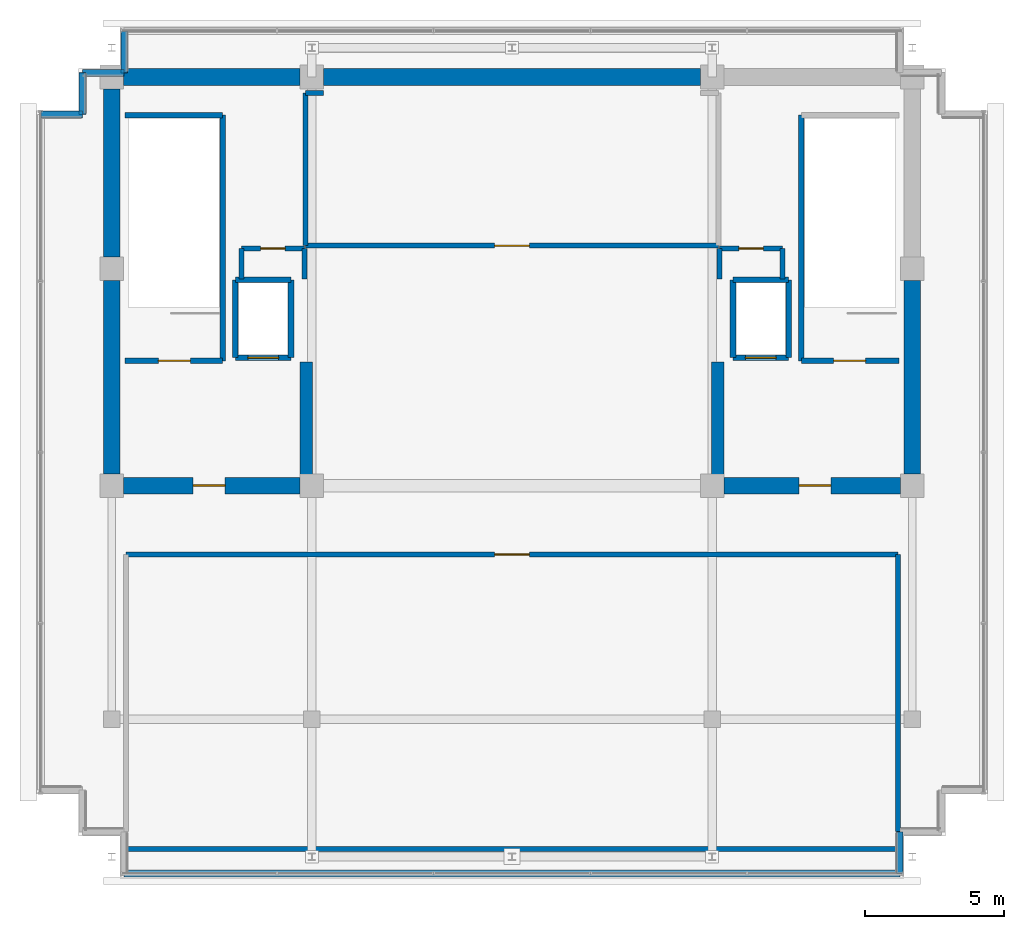
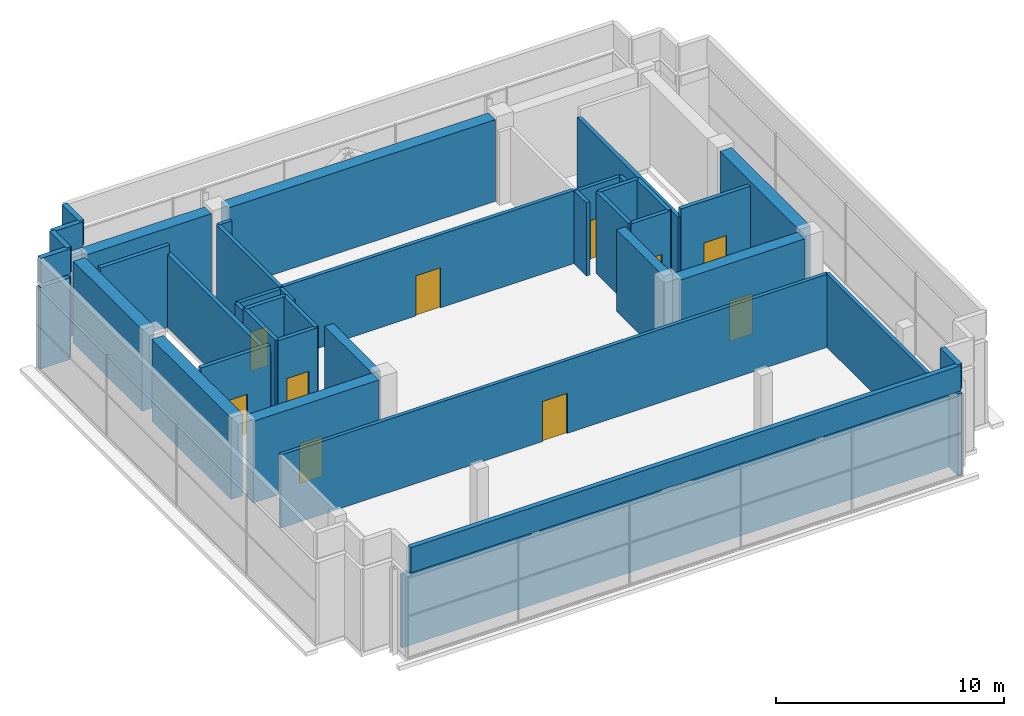
# One storey, part 20 of 22: 45 walls, 10 doors, 10 openings.
"""IFC4 building model written with IfcOpenShell, lengths in metres."""

from ifc_helpers import new_model, si_unit, direction, frame, frame_2d, origin, place, context, subcontext, project, spatial, rectangle, extrude, source, transform, mapped, material, layer, layer_set, type_object, element, fill, save


model = new_model("IFC4")

# Units and contexts
model_context = context("Model", 3, precision=1e-05, world=origin(), true_north=direction((0.0, 1.0)))
body_context = subcontext(model_context, "Body", "Model", "MODEL_VIEW")
ifc_project = project(units=[si_unit("LENGTHUNIT", "METRE"), si_unit("AREAUNIT", "SQUARE_METRE"), si_unit("VOLUMEUNIT", "CUBIC_METRE"), si_unit("PLANEANGLEUNIT", "RADIAN"), si_unit("MASSUNIT", "GRAM", prefix="KILO")], contexts=[model_context])

# Site, building, storey
site_placement = place(None, origin())
site = spatial("IfcSite", under=ifc_project, at=site_placement, CompositionType="ELEMENT")
building_placement = place(site_placement, origin())
building = spatial("IfcBuilding", under=site, at=building_placement, Name="Zarnakvel Exchange Tower", CompositionType="ELEMENT")
storey_placement = place(building_placement, frame((0.0, 0.0, 299.199951171875)))
storey = spatial("IfcBuildingStorey", under=building, at=storey_placement, Name="Crown L83", CompositionType="ELEMENT", Elevation=299.199951171875)

# Walls
ifc_material_1 = material(Name="Concrete C50/60", Category="concrete")
ifc_layer_1 = layer(ifc_material_1, 0.60009765625)
ifc_layer_set_1 = layer_set([ifc_layer_1], Name="Concrete C50/60")
wall_type_1 = type_object("IfcWallType", Name="CW-C5", PredefinedType="SHEAR", material=ifc_layer_set_1)
wall_1_placement = place(storey_placement, frame((-13.97509765625, 13.5, 0.0), z_axis=(0.0, 0.0, 1.0), x_axis=(1.0, 0.0, 0.0)))
element("IfcWall", 1, at=wall_1_placement, inside=storey, type_object=wall_type_1, Name="Crown L83 Rear Core Shear Wall N1 (CW-C5)", PredefinedType="SHEAR", context=body_context, shape_type="SweptSolid", body=[
    extrude(rectangle(XDim=6.35009765625, YDim=0.60009765625, at=frame_2d((3.175048828125, 0.0))), origin(), (0.0, 0.0, 1.0), 4.380126953125),
])
wall_2_placement = place(storey_placement, frame((-6.77490234375, 13.5, 0.0), z_axis=(0.0, 0.0, 1.0), x_axis=(1.0, 0.0, 0.0)))
element("IfcWall", 2, at=wall_2_placement, inside=storey, type_object=wall_type_1, Name="Crown L83 Rear Core Shear Wall N2 (CW-C5)", PredefinedType="SHEAR", context=body_context, shape_type="SweptSolid", body=[
    extrude(rectangle(XDim=13.5498046875, YDim=0.60009765625, at=frame_2d((6.77490234375, 0.0))), origin(), (0.0, 0.0, 1.0), 4.380126953125),
])
wall_3_placement = place(storey_placement, frame((-14.39990234375, -0.77490234375, 0.0), z_axis=(0.0, 0.0, 1.0), x_axis=(0.0, 1.0, 0.0)))
element("IfcWall", 3, at=wall_3_placement, inside=storey, type_object=wall_type_1, Name="Crown L83 Rear Core Shear Wall W1 (CW-C5)", PredefinedType="SHEAR", context=body_context, shape_type="SweptSolid", body=[
    extrude(rectangle(XDim=6.949951171875, YDim=0.60009765625, at=frame_2d((3.47509765625, 0.0))), origin(), (0.0, 0.0, 1.0), 4.380126953125),
])
wall_4_placement = place(storey_placement, frame((-14.39990234375, 7.02490234375, 0.0), z_axis=(0.0, 0.0, 1.0), x_axis=(0.0, 1.0, 0.0)))
element("IfcWall", 4, at=wall_4_placement, inside=storey, type_object=wall_type_1, Name="Crown L83 Rear Core Shear Wall W2 (CW-C5)", PredefinedType="SHEAR", context=body_context, shape_type="SweptSolid", body=[
    extrude(rectangle(XDim=6.050048828125, YDim=0.60009765625, at=frame_2d((3.02490234375, 0.0))), origin(), (0.0, 0.0, 1.0), 4.380126953125),
])
wall_5_placement = place(storey_placement, frame((14.39990234375, -0.77490234375, 0.0), z_axis=(0.0, 0.0, 1.0), x_axis=(0.0, 1.0, 0.0)))
element("IfcWall", 5, at=wall_5_placement, inside=storey, type_object=wall_type_1, Name="Crown L83 Rear Core Shear Wall E1 (CW-C5)", PredefinedType="SHEAR", context=body_context, shape_type="SweptSolid", body=[
    extrude(rectangle(XDim=6.949951171875, YDim=0.60009765625, at=frame_2d((3.47509765625, 0.0))), origin(), (0.0, 0.0, 1.0), 4.380126953125),
])

# Wall, opening, door
wall_6_placement = place(storey_placement, frame((-7.625, -1.199951171875, 0.0), z_axis=(0.0, 0.0, 1.0), x_axis=(-1.0, 0.0, 0.0)))
wall_6 = element("IfcWall", 6, at=wall_6_placement, inside=storey, type_object=wall_type_1, Name="Crown L83 Rear Core Shear Wall SW (CW-C5)", PredefinedType="SHEAR", context=body_context, shape_type="SweptSolid", body=[
    extrude(rectangle(XDim=6.35009765625, YDim=0.60009765625, at=frame_2d((3.175048828125, 0.0))), origin(), (0.0, 0.0, 1.0), 4.380126953125),
])
opening_1_placement = place(wall_6_placement, frame((2.699951171875, 0.0, 0.0)))
opening_1 = element("IfcOpeningElement", 7, at=opening_1_placement, cuts=wall_6, Name="Opening D-Crown L83-03", PredefinedType="OPENING", context=body_context, shape_type="SweptSolid", body=[
    extrude(rectangle(XDim=1.14990234375, YDim=2.14990234375, at=frame_2d((0.574951171875, 1.074951171875))), frame((0.0, 0.31005859375, 0.0), z_axis=(0.0, -1.0, 0.0), x_axis=(1.0, 0.0, 0.0)), (0.0, 0.0, 1.0), 0.6201171875),
])
ifc_material_2 = material(Name="Painted Galvanised Steel S355", Category="steel")
door_type_1 = type_object("IfcDoorType", Name="DT-04", OperationType="NOTDEFINED", PredefinedType="DOOR", material=ifc_material_2)
shared_shape_1 = source(origin(), body_context, "Body", "SweptSolid", [
    extrude(rectangle(XDim=1.14990234375, YDim=2.14990234375, at=frame_2d((0.574951171875, 1.074951171875))), frame((0.0, 0.02490234375, 0.0), z_axis=(0.0, -1.0, 0.0), x_axis=(1.0, 0.0, 0.0)), (0.0, 0.0, 1.0), 0.050048828125),
])
door_1_placement = place(opening_1_placement, origin())
door_1 = element("IfcDoor", 8, at=door_1_placement, inside=storey, type_object=door_type_1, Name="Crown L83 Firefighting Lobby West Door D-Crown L83-03", OperationType="SINGLE_SWING_LEFT", OverallHeight=2.14990234375, OverallWidth=1.14990234375, PredefinedType="DOOR", context=body_context, shape_type="MappedRepresentation", body=[
    mapped(shared_shape_1, transform((0.0, 0.0, 0.0), x_axis=(1.0, 0.0, 0.0), y_axis=(0.0, 1.0, 0.0), z_axis=(0.0, 0.0, 1.0), scale=1.0)),
])
fill(opening_1, door_1)

wall_7_placement = place(storey_placement, frame((13.97509765625, -1.199951171875, 0.0), z_axis=(0.0, 0.0, 1.0), x_axis=(-1.0, 0.0, 0.0)))
wall_7 = element("IfcWall", 9, at=wall_7_placement, inside=storey, type_object=wall_type_1, Name="Crown L83 Rear Core Shear Wall SE (CW-C5)", PredefinedType="SHEAR", context=body_context, shape_type="SweptSolid", body=[
    extrude(rectangle(XDim=6.35009765625, YDim=0.60009765625, at=frame_2d((3.175048828125, 0.0))), origin(), (0.0, 0.0, 1.0), 4.380126953125),
])
opening_2_placement = place(wall_7_placement, frame((2.5, 0.0, 0.0)))
opening_2 = element("IfcOpeningElement", 10, at=opening_2_placement, cuts=wall_7, Name="Opening D-Crown L83-04", PredefinedType="OPENING", context=body_context, shape_type="SweptSolid", body=[
    extrude(rectangle(XDim=1.14990234375, YDim=2.14990234375, at=frame_2d((0.574951171875, 1.074951171875))), frame((0.0, 0.31005859375, 0.0), z_axis=(0.0, -1.0, 0.0), x_axis=(1.0, 0.0, 0.0)), (0.0, 0.0, 1.0), 0.6201171875),
])
door_2_placement = place(opening_2_placement, origin())
door_2 = element("IfcDoor", 11, at=door_2_placement, inside=storey, type_object=door_type_1, Name="Crown L83 Firefighting Lobby East Door D-Crown L83-04", OperationType="SINGLE_SWING_RIGHT", OverallHeight=2.14990234375, OverallWidth=1.14990234375, PredefinedType="DOOR", context=body_context, shape_type="MappedRepresentation", body=[
    mapped(shared_shape_1, transform((0.0, 0.0, 0.0), x_axis=(1.0, 0.0, 0.0), y_axis=(0.0, 1.0, 0.0), z_axis=(0.0, 0.0, 1.0), scale=1.0)),
])
fill(opening_2, door_2)

# Walls
ifc_layer_2 = layer(ifc_material_1, 0.449951171875)
ifc_layer_set_2 = layer_set([ifc_layer_2], Name="Concrete C50/60")
wall_type_2 = type_object("IfcWallType", Name="CW-C6", PredefinedType="SHEAR", material=ifc_layer_set_2)
for number, where, z_axis, x_axis, name in (
    (12, (-7.39990234375, -0.89990234375, 0.0), (0.0, 0.0, 1.0), (0.0, 1.0, 0.0), "Crown L83 Rear Core Shear Wall IW (CW-C6)"),
    (13, (7.39990234375, -0.89990234375, 0.0), (0.0, 0.0, 1.0), (0.0, 1.0, 0.0), "Crown L83 Rear Core Shear Wall IE (CW-C6)"),
):
    element("IfcWall", number, at=place(storey_placement, frame(where, z_axis=z_axis, x_axis=x_axis)), inside=storey, type_object=wall_type_2, Name=name, PredefinedType="SHEAR", context=body_context, shape_type="SweptSolid", body=[
        extrude(rectangle(XDim=4.14990234375, YDim=0.449951171875, at=frame_2d((2.074951171875, 0.0))), origin(), (0.0, 0.0, 1.0), 4.380126953125),
    ])
ifc_material_3 = material(Name="Precast concrete C40/50", Category="concrete")
ifc_layer_3 = layer(ifc_material_3, 0.219970703125)
ifc_layer_set_3 = layer_set([ifc_layer_3], Name="Precast concrete C40/50")
wall_type_3 = type_object("IfcWallType", Name="EW-03", PredefinedType="SOLIDWALL", material=ifc_layer_set_3)
for number, where, z_axis, x_axis, name in (
    (14, (-15.4599609375, 12.159912109375, 0.0), (0.0, 0.0, 1.0), (-1.0, 0.0, 0.0), "Crown L83 Exterior Precast Spandrel Wall EW-Crown L83-C02 (EW-03)"),
    (15, (-15.4599609375, 13.659912109375, 0.0), (0.0, 0.0, 1.0), (0.0, -1.0, 0.0), "Crown L83 Exterior Precast Spandrel Wall EW-Crown L83-C03 (EW-03)"),
    (16, (-13.9599609375, 13.659912109375, 0.0), (0.0, 0.0, 1.0), (-1.0, 0.0, 0.0), "Crown L83 Exterior Precast Spandrel Wall EW-Crown L83-C04 (EW-03)"),
    (17, (-13.9599609375, 15.159912109375, 0.0), (0.0, 0.0, 1.0), (0.0, -1.0, 0.0), "Crown L83 Exterior Precast Spandrel Wall EW-Crown L83-C05 (EW-03)"),
    (18, (13.9599609375, -15.159912109375, 0.0), (0.0, 0.0, 1.0), (0.0, 1.0, 0.0), "Crown L83 Exterior Precast Spandrel Wall EW-Crown L83-C15 (EW-03)"),
):
    element("IfcWall", number, at=place(storey_placement, frame(where, z_axis=z_axis, x_axis=x_axis)), inside=storey, type_object=wall_type_3, Name=name, PredefinedType="SOLIDWALL", context=body_context, shape_type="SweptSolid", body=[
        extrude(rectangle(XDim=1.5, YDim=0.219970703125, at=frame_2d((0.75, 0.0))), origin(), (0.0, 0.0, 1.0), 4.380126953125),
    ])

# Wall, opening, door
ifc_material_4 = material(Name="Fire-Rated Gypsum Stud Partition", Category="gypsum")
ifc_layer_4 = layer(ifc_material_4, 0.179931640625)
ifc_layer_set_4 = layer_set([ifc_layer_4], Name="Fire-Rated Gypsum Stud Partition")
wall_type_4 = type_object("IfcWallType", Name="PT-02", PredefinedType="PARTITIONING", material=ifc_layer_set_4)
wall_8_placement = place(storey_placement, frame((7.429931640625, 7.429931640625, 0.0), z_axis=(0.0, 0.0, 1.0), x_axis=(-1.0, 0.0, 0.0)))
wall_8 = element("IfcWall", 19, at=wall_8_placement, inside=storey, type_object=wall_type_4, Name="Crown L83 Partition Wall PWALL-Crown L83-007 (PT-02)", PredefinedType="PARTITIONING", context=body_context, shape_type="SweptSolid", body=[
    extrude(rectangle(XDim=14.85986328125, YDim=0.179931640625, at=frame_2d((7.429931640625, 0.0))), origin(), (0.0, 0.0, 1.0), 3.920166015625),
])
opening_3_placement = place(wall_8_placement, frame((6.804931640625, 0.0, 0.0)))
opening_3 = element("IfcOpeningElement", 20, at=opening_3_placement, cuts=wall_8, Name="Opening D-Crown L83-05", PredefinedType="OPENING", context=body_context, shape_type="SweptSolid", body=[
    extrude(rectangle(XDim=1.25, YDim=2.14990234375, at=frame_2d((0.625, 1.074951171875))), frame((0.0, 0.099853515625, 0.0), z_axis=(0.0, -1.0, 0.0), x_axis=(1.0, 0.0, 0.0)), (0.0, 0.0, 1.0), 0.199951171875),
])
door_type_2 = type_object("IfcDoorType", Name="DT-06", OperationType="NOTDEFINED", PredefinedType="DOOR", material=ifc_material_2)
shared_shape_2 = source(origin(), body_context, "Body", "SweptSolid", [
    extrude(rectangle(XDim=1.25, YDim=2.14990234375, at=frame_2d((0.625, 1.074951171875))), frame((0.0, 0.02490234375, 0.0), z_axis=(0.0, -1.0, 0.0), x_axis=(1.0, 0.0, 0.0)), (0.0, 0.0, 1.0), 0.050048828125),
])
door_3_placement = place(opening_3_placement, origin())
door_3 = element("IfcDoor", 21, at=door_3_placement, inside=storey, type_object=door_type_2, Name="Crown L83 High-Rise Lift Machine Room Door D-Crown L83-05", OperationType="SINGLE_SWING_LEFT", OverallHeight=2.14990234375, OverallWidth=1.25, PredefinedType="DOOR", context=body_context, shape_type="MappedRepresentation", body=[
    mapped(shared_shape_2, transform((0.0, 0.0, 0.0), x_axis=(1.0, 0.0, 0.0), y_axis=(0.0, 1.0, 0.0), z_axis=(0.0, 0.0, 1.0), scale=1.0)),
])
fill(opening_3, door_3)

# Walls
wall_9_placement = place(storey_placement, frame((-7.429931640625, 12.929931640625, 0.0), z_axis=(0.0, 0.0, 1.0), x_axis=(1.0, 0.0, 0.0)))
element("IfcWall", 22, at=wall_9_placement, inside=storey, type_object=wall_type_4, Name="Crown L83 Partition Wall PWALL-Crown L83-008 (PT-02)", PredefinedType="PARTITIONING", context=body_context, shape_type="SweptSolid", body=[
    extrude(rectangle(XDim=0.655029296875, YDim=0.179931640625, at=frame_2d((0.32763671875, 0.0))), origin(), (0.0, 0.0, 1.0), 3.920166015625),
])
wall_10_placement = place(storey_placement, frame((-7.429931640625, 7.429931640625, 0.0), z_axis=(0.0, 0.0, 1.0), x_axis=(0.0, 1.0, 0.0)))
element("IfcWall", 23, at=wall_10_placement, inside=storey, type_object=wall_type_4, Name="Crown L83 Partition Wall PWALL-Crown L83-010 (PT-02)", PredefinedType="PARTITIONING", context=body_context, shape_type="SweptSolid", body=[
    extrude(rectangle(XDim=5.5, YDim=0.179931640625, at=frame_2d((2.75, 0.0))), origin(), (0.0, 0.0, 1.0), 3.920166015625),
])

# Wall, opening, door
wall_11_placement = place(storey_placement, frame((-9.72998046875, 7.330078125, 0.0), z_axis=(0.0, 0.0, 1.0), x_axis=(1.0, 0.0, 0.0)))
wall_11 = element("IfcWall", 24, at=wall_11_placement, inside=storey, type_object=wall_type_4, Name="Crown L83 Partition Wall PWALL-Crown L83-012 (PT-02)", PredefinedType="PARTITIONING", context=body_context, shape_type="SweptSolid", body=[
    extrude(rectangle(XDim=2.260009765625, YDim=0.179931640625, at=frame_2d((1.1298828125, 0.0))), origin(), (0.0, 0.0, 1.0), 3.920166015625),
])
opening_4_placement = place(wall_11_placement, frame((0.68994140625, 0.0, 0.0)))
opening_4 = element("IfcOpeningElement", 25, at=opening_4_placement, cuts=wall_11, Name="Opening D-Crown L83-07", PredefinedType="OPENING", context=body_context, shape_type="SweptSolid", body=[
    extrude(rectangle(XDim=0.8798828125, YDim=2.10009765625, at=frame_2d((0.43994140625, 1.050048828125))), frame((0.0, 0.099853515625, 0.0), z_axis=(0.0, -1.0, 0.0), x_axis=(1.0, 0.0, 0.0)), (0.0, 0.0, 1.0), 0.199951171875),
])
door_type_3 = type_object("IfcDoorType", Name="DT-08", OperationType="NOTDEFINED", PredefinedType="DOOR", material=ifc_material_2)
shared_shape_3 = source(origin(), body_context, "Body", "SweptSolid", [
    extrude(rectangle(XDim=0.8798828125, YDim=2.10009765625, at=frame_2d((0.43994140625, 1.050048828125))), frame((0.0, 0.02490234375, 0.0), z_axis=(0.0, -1.0, 0.0), x_axis=(1.0, 0.0, 0.0)), (0.0, 0.0, 1.0), 0.050048828125),
])
door_4_placement = place(opening_4_placement, origin())
door_4 = element("IfcDoor", 26, at=door_4_placement, inside=storey, type_object=door_type_3, Name="Crown L83 Electrical Riser Door D-Crown L83-07", OperationType="SINGLE_SWING_LEFT", OverallHeight=2.10009765625, OverallWidth=0.8798828125, PredefinedType="DOOR", context=body_context, shape_type="MappedRepresentation", body=[
    mapped(shared_shape_3, transform((0.0, 0.0, 0.0), x_axis=(1.0, 0.0, 0.0), y_axis=(0.0, 1.0, 0.0), z_axis=(0.0, 0.0, 1.0), scale=1.0)),
])
fill(opening_4, door_4)

# Walls
for number, where, z_axis, x_axis, name in (
    (27, (-9.72998046875, 6.239990234375, 0.0), (0.0, 0.0, 1.0), (0.0, 1.0, 0.0), "Crown L83 Partition Wall PWALL-Crown L83-013 (PT-02)"),
    (28, (-7.469970703125, 7.330078125, 0.0), (0.0, 0.0, 1.0), (0.0, -1.0, 0.0), "Crown L83 Partition Wall PWALL-Crown L83-014 (PT-02)"),
):
    element("IfcWall", number, at=place(storey_placement, frame(where, z_axis=z_axis, x_axis=x_axis)), inside=storey, type_object=wall_type_4, Name=name, PredefinedType="PARTITIONING", context=body_context, shape_type="SweptSolid", body=[
        extrude(rectangle(XDim=1.090087890625, YDim=0.179931640625, at=frame_2d((0.544921875, 0.0))), origin(), (0.0, 0.0, 1.0), 3.920166015625),
    ])

# Wall, opening, door
wall_12_placement = place(storey_placement, frame((7.469970703125, 7.330078125, 0.0), z_axis=(0.0, 0.0, 1.0), x_axis=(1.0, 0.0, 0.0)))
wall_12 = element("IfcWall", 29, at=wall_12_placement, inside=storey, type_object=wall_type_4, Name="Crown L83 Partition Wall PWALL-Crown L83-015 (PT-02)", PredefinedType="PARTITIONING", context=body_context, shape_type="SweptSolid", body=[
    extrude(rectangle(XDim=2.260009765625, YDim=0.179931640625, at=frame_2d((1.1298828125, 0.0))), origin(), (0.0, 0.0, 1.0), 3.920166015625),
])
opening_5_placement = place(wall_12_placement, frame((0.68994140625, 0.0, 0.0)))
opening_5 = element("IfcOpeningElement", 30, at=opening_5_placement, cuts=wall_12, Name="Opening D-Crown L83-08", PredefinedType="OPENING", context=body_context, shape_type="SweptSolid", body=[
    extrude(rectangle(XDim=0.8798828125, YDim=2.10009765625, at=frame_2d((0.43994140625, 1.050048828125))), frame((0.0, 0.099853515625, 0.0), z_axis=(0.0, -1.0, 0.0), x_axis=(1.0, 0.0, 0.0)), (0.0, 0.0, 1.0), 0.199951171875),
])
door_5_placement = place(opening_5_placement, origin())
door_5 = element("IfcDoor", 31, at=door_5_placement, inside=storey, type_object=door_type_3, Name="Crown L83 Telecom Riser Door D-Crown L83-08", OperationType="SINGLE_SWING_RIGHT", OverallHeight=2.10009765625, OverallWidth=0.8798828125, PredefinedType="DOOR", context=body_context, shape_type="MappedRepresentation", body=[
    mapped(shared_shape_3, transform((0.0, 0.0, 0.0), x_axis=(1.0, 0.0, 0.0), y_axis=(0.0, 1.0, 0.0), z_axis=(0.0, 0.0, 1.0), scale=1.0)),
])
fill(opening_5, door_5)

# Walls
for number, where, z_axis, x_axis, name in (
    (32, (7.469970703125, 6.239990234375, 0.0), (0.0, 0.0, 1.0), (0.0, 1.0, 0.0), "Crown L83 Partition Wall PWALL-Crown L83-016 (PT-02)"),
    (33, (9.72998046875, 7.330078125, 0.0), (0.0, 0.0, 1.0), (0.0, -1.0, 0.0), "Crown L83 Partition Wall PWALL-Crown L83-017 (PT-02)"),
):
    element("IfcWall", number, at=place(storey_placement, frame(where, z_axis=z_axis, x_axis=x_axis)), inside=storey, type_object=wall_type_4, Name=name, PredefinedType="PARTITIONING", context=body_context, shape_type="SweptSolid", body=[
        extrude(rectangle(XDim=1.090087890625, YDim=0.179931640625, at=frame_2d((0.544921875, 0.0))), origin(), (0.0, 0.0, 1.0), 3.920166015625),
    ])
wall_13_placement = place(storey_placement, frame((13.8798828125, -14.280029296875, 0.0), z_axis=(0.0, 0.0, 1.0), x_axis=(-1.0, 0.0, 0.0)))
element("IfcWall", 34, at=wall_13_placement, inside=storey, type_object=wall_type_4, Name="Crown L83 Partition Wall PWALL-Crown L83-018 (PT-02)", PredefinedType="PARTITIONING", context=body_context, shape_type="SweptSolid", body=[
    extrude(rectangle(XDim=27.759765625, YDim=0.179931640625, at=frame_2d((13.8798828125, 0.0))), origin(), (0.0, 0.0, 1.0), 3.920166015625),
])

# Wall, opening, door
wall_14_placement = place(storey_placement, frame((-13.8798828125, -3.679931640625, 0.0), z_axis=(0.0, 0.0, 1.0), x_axis=(1.0, 0.0, 0.0)))
wall_14 = element("IfcWall", 35, at=wall_14_placement, inside=storey, type_object=wall_type_4, Name="Crown L83 Partition Wall PWALL-Crown L83-019 (PT-02)", PredefinedType="PARTITIONING", context=body_context, shape_type="SweptSolid", body=[
    extrude(rectangle(XDim=27.759765625, YDim=0.179931640625, at=frame_2d((13.8798828125, 0.0))), origin(), (0.0, 0.0, 1.0), 3.920166015625),
])
opening_6_placement = place(wall_14_placement, frame((13.2548828125, 0.0, 0.0)))
opening_6 = element("IfcOpeningElement", 36, at=opening_6_placement, cuts=wall_14, Name="Opening D-Crown L83-06", PredefinedType="OPENING", context=body_context, shape_type="SweptSolid", body=[
    extrude(rectangle(XDim=1.25, YDim=2.14990234375, at=frame_2d((0.625, 1.074951171875))), frame((0.0, 0.099853515625, 0.0), z_axis=(0.0, -1.0, 0.0), x_axis=(1.0, 0.0, 0.0)), (0.0, 0.0, 1.0), 0.199951171875),
])
door_6_placement = place(opening_6_placement, origin())
door_6 = element("IfcDoor", 37, at=door_6_placement, inside=storey, type_object=door_type_2, Name="Crown L83 Aircraft Warning and Weather Telemetry Plant Room Door D-Crown L83-06", OperationType="SINGLE_SWING_RIGHT", OverallHeight=2.14990234375, OverallWidth=1.25, PredefinedType="DOOR", context=body_context, shape_type="MappedRepresentation", body=[
    mapped(shared_shape_2, transform((0.0, 0.0, 0.0), x_axis=(1.0, 0.0, 0.0), y_axis=(0.0, 1.0, 0.0), z_axis=(0.0, 0.0, 1.0), scale=1.0)),
])
fill(opening_6, door_6)

# Walls
wall_15_placement = place(storey_placement, frame((13.8798828125, -3.679931640625, 0.0), z_axis=(0.0, 0.0, 1.0), x_axis=(0.0, -1.0, 0.0)))
element("IfcWall", 38, at=wall_15_placement, inside=storey, type_object=wall_type_4, Name="Crown L83 Partition Wall PWALL-Crown L83-021 (PT-02)", PredefinedType="PARTITIONING", context=body_context, shape_type="SweptSolid", body=[
    extrude(rectangle(XDim=9.969970703125, YDim=0.179931640625, at=frame_2d((4.98486328125, 0.0))), origin(), (0.0, 0.0, 1.0), 3.920166015625),
])
ifc_layer_5 = layer(ifc_material_3, 0.25)
ifc_layer_set_5 = layer_set([ifc_layer_5], Name="Precast concrete C40/50")
wall_type_5 = type_object("IfcWallType", Name="PW-01", PredefinedType="PARAPET", material=ifc_layer_set_5)
for number, where, z_axis, x_axis, name in (
    (39, (-16.949951171875, 12.14990234375, 4.60009765625), (0.0, 0.0, 1.0), (1.0, 0.0, 0.0), "Crown L83 Roof Cap Perimeter Parapet Wall #2"),
    (40, (-15.449951171875, 12.14990234375, 4.60009765625), (0.0, 0.0, 1.0), (0.0, 1.0, 0.0), "Crown L83 Roof Cap Perimeter Parapet Wall #3"),
    (41, (-15.449951171875, 13.64990234375, 4.60009765625), (0.0, 0.0, 1.0), (1.0, 0.0, 0.0), "Crown L83 Roof Cap Perimeter Parapet Wall #4"),
    (42, (-13.949951171875, 13.64990234375, 4.60009765625), (0.0, 0.0, 1.0), (0.0, 1.0, 0.0), "Crown L83 Roof Cap Perimeter Parapet Wall #5"),
    (43, (13.949951171875, -13.64990234375, 4.60009765625), (0.0, 0.0, 1.0), (0.0, -1.0, 0.0), "Crown L83 Roof Cap Perimeter Parapet Wall #15"),
):
    element("IfcWall", number, at=place(storey_placement, frame(where, z_axis=z_axis, x_axis=x_axis)), inside=storey, type_object=wall_type_5, Name=name, PredefinedType="PARAPET", context=body_context, shape_type="SweptSolid", body=[
        extrude(rectangle(XDim=1.5, YDim=0.25, at=frame_2d((0.75, 0.0))), origin(), (0.0, 0.0, 1.0), 1.349853515625),
    ])
wall_16_placement = place(storey_placement, frame((13.949951171875, -15.14990234375, 4.60009765625), z_axis=(0.0, 0.0, 1.0), x_axis=(-1.0, 0.0, 0.0)))
element("IfcWall", 44, at=wall_16_placement, inside=storey, type_object=wall_type_5, Name="Crown L83 Roof Cap Perimeter Parapet Wall #16", PredefinedType="PARAPET", context=body_context, shape_type="SweptSolid", body=[
    extrude(rectangle(XDim=27.89990234375, YDim=0.25, at=frame_2d((13.949951171875, 0.0))), origin(), (0.0, 0.0, 1.0), 1.349853515625),
])

# Wall, opening, door
ifc_material_5 = material(Name="Concrete C40/50", Category="concrete")
ifc_layer_6 = layer(ifc_material_5, 0.199951171875)
ifc_layer_set_6 = layer_set([ifc_layer_6], Name="Concrete C40/50")
wall_type_6 = type_object("IfcWallType", Name="SW-01", PredefinedType="SOLIDWALL", material=ifc_layer_set_6)
wall_17_placement = place(storey_placement, frame((-7.949951171875, 3.39990234375, 0.0), z_axis=(0.0, 0.0, 1.0), x_axis=(-1.0, 0.0, 0.0)))
wall_17 = element("IfcWall", 45, at=wall_17_placement, inside=storey, type_object=wall_type_6, Name="Crown L83 FL-01 Hoistway Wall South", PredefinedType="SOLIDWALL", context=body_context, shape_type="SweptSolid", body=[
    extrude(rectangle(XDim=2.0, YDim=0.199951171875, at=frame_2d((1.0, 0.0))), origin(), (0.0, 0.0, 1.0), 4.380126953125),
])
opening_7_placement = place(wall_17_placement, frame((0.449951171875, 0.0, 0.0)))
opening_7 = element("IfcOpeningElement", 46, at=opening_7_placement, cuts=wall_17, Name="Opening LD-FL-01-Crown L83", PredefinedType="OPENING", context=body_context, shape_type="SweptSolid", body=[
    extrude(rectangle(XDim=1.10009765625, YDim=2.199951171875, at=frame_2d((0.550048828125, 1.10009765625))), frame((0.0, 0.10986328125, 0.0), z_axis=(0.0, -1.0, 0.0), x_axis=(1.0, 0.0, 0.0)), (0.0, 0.0, 1.0), 0.219970703125),
])
ifc_material_6 = material(Name="Brushed Stainless Steel", Category="steel")
door_type_4 = type_object("IfcDoorType", Name="LDT-01", OperationType="NOTDEFINED", PredefinedType="DOOR", material=ifc_material_6)
shared_shape_4 = source(origin(), body_context, "Body", "SweptSolid", [
    extrude(rectangle(XDim=1.10009765625, YDim=2.199951171875, at=frame_2d((0.550048828125, 1.10009765625))), frame((0.0, 0.02490234375, 0.0), z_axis=(0.0, -1.0, 0.0), x_axis=(1.0, 0.0, 0.0)), (0.0, 0.0, 1.0), 0.050048828125),
])
door_7_placement = place(opening_7_placement, origin())
door_7 = element("IfcDoor", 47, at=door_7_placement, inside=storey, type_object=door_type_4, Name="Crown L83 FL-01 Lift Landing Door LD-FL-01-Crown L83", OperationType="DOUBLE_DOOR_SLIDING", OverallHeight=2.199951171875, OverallWidth=1.10009765625, PredefinedType="DOOR", context=body_context, shape_type="MappedRepresentation", body=[
    mapped(shared_shape_4, transform((0.0, 0.0, 0.0), x_axis=(1.0, 0.0, 0.0), y_axis=(0.0, 1.0, 0.0), z_axis=(0.0, 0.0, 1.0), scale=1.0)),
])
fill(opening_7, door_7)

# Walls
wall_18_placement = place(storey_placement, frame((-9.949951171875, 6.199951171875, 0.0), z_axis=(0.0, 0.0, 1.0), x_axis=(1.0, 0.0, 0.0)))
element("IfcWall", 48, at=wall_18_placement, inside=storey, type_object=wall_type_6, Name="Crown L83 FL-01 Hoistway Wall North", PredefinedType="SOLIDWALL", context=body_context, shape_type="SweptSolid", body=[
    extrude(rectangle(XDim=2.0, YDim=0.199951171875, at=frame_2d((1.0, 0.0))), origin(), (0.0, 0.0, 1.0), 4.380126953125),
])
for number, where, z_axis, x_axis, name in (
    (49, (-9.949951171875, 3.39990234375, 0.0), (0.0, 0.0, 1.0), (0.0, 1.0, 0.0), "Crown L83 FL-01 Hoistway Wall West"),
    (50, (-7.949951171875, 6.199951171875, 0.0), (0.0, 0.0, 1.0), (0.0, -1.0, 0.0), "Crown L83 FL-01 Hoistway Wall East"),
):
    element("IfcWall", number, at=place(storey_placement, frame(where, z_axis=z_axis, x_axis=x_axis)), inside=storey, type_object=wall_type_6, Name=name, PredefinedType="SOLIDWALL", context=body_context, shape_type="SweptSolid", body=[
        extrude(rectangle(XDim=2.800048828125, YDim=0.199951171875, at=frame_2d((1.39990234375, 0.0))), origin(), (0.0, 0.0, 1.0), 4.380126953125),
    ])

# Wall, opening, door
wall_19_placement = place(storey_placement, frame((9.949951171875, 3.39990234375, 0.0), z_axis=(0.0, 0.0, 1.0), x_axis=(-1.0, 0.0, 0.0)))
wall_19 = element("IfcWall", 51, at=wall_19_placement, inside=storey, type_object=wall_type_6, Name="Crown L83 FL-02 Hoistway Wall South", PredefinedType="SOLIDWALL", context=body_context, shape_type="SweptSolid", body=[
    extrude(rectangle(XDim=2.0, YDim=0.199951171875, at=frame_2d((1.0, 0.0))), origin(), (0.0, 0.0, 1.0), 4.380126953125),
])
opening_8_placement = place(wall_19_placement, frame((0.449951171875, 0.0, 0.0)))
opening_8 = element("IfcOpeningElement", 52, at=opening_8_placement, cuts=wall_19, Name="Opening LD-FL-02-Crown L83", PredefinedType="OPENING", context=body_context, shape_type="SweptSolid", body=[
    extrude(rectangle(XDim=1.10009765625, YDim=2.199951171875, at=frame_2d((0.550048828125, 1.10009765625))), frame((0.0, 0.10986328125, 0.0), z_axis=(0.0, -1.0, 0.0), x_axis=(1.0, 0.0, 0.0)), (0.0, 0.0, 1.0), 0.219970703125),
])
door_8_placement = place(opening_8_placement, origin())
door_8 = element("IfcDoor", 53, at=door_8_placement, inside=storey, type_object=door_type_4, Name="Crown L83 FL-02 Lift Landing Door LD-FL-02-Crown L83", OperationType="DOUBLE_DOOR_SLIDING", OverallHeight=2.199951171875, OverallWidth=1.10009765625, PredefinedType="DOOR", context=body_context, shape_type="MappedRepresentation", body=[
    mapped(shared_shape_4, transform((0.0, 0.0, 0.0), x_axis=(1.0, 0.0, 0.0), y_axis=(0.0, 1.0, 0.0), z_axis=(0.0, 0.0, 1.0), scale=1.0)),
])
fill(opening_8, door_8)

# Walls
wall_20_placement = place(storey_placement, frame((7.949951171875, 6.199951171875, 0.0), z_axis=(0.0, 0.0, 1.0), x_axis=(1.0, 0.0, 0.0)))
element("IfcWall", 54, at=wall_20_placement, inside=storey, type_object=wall_type_6, Name="Crown L83 FL-02 Hoistway Wall North", PredefinedType="SOLIDWALL", context=body_context, shape_type="SweptSolid", body=[
    extrude(rectangle(XDim=2.0, YDim=0.199951171875, at=frame_2d((1.0, 0.0))), origin(), (0.0, 0.0, 1.0), 4.380126953125),
])
for number, where, z_axis, x_axis, name in (
    (55, (7.949951171875, 3.39990234375, 0.0), (0.0, 0.0, 1.0), (0.0, 1.0, 0.0), "Crown L83 FL-02 Hoistway Wall West"),
    (56, (9.949951171875, 6.199951171875, 0.0), (0.0, 0.0, 1.0), (0.0, -1.0, 0.0), "Crown L83 FL-02 Hoistway Wall East"),
):
    element("IfcWall", number, at=place(storey_placement, frame(where, z_axis=z_axis, x_axis=x_axis)), inside=storey, type_object=wall_type_6, Name=name, PredefinedType="SOLIDWALL", context=body_context, shape_type="SweptSolid", body=[
        extrude(rectangle(XDim=2.800048828125, YDim=0.199951171875, at=frame_2d((1.39990234375, 0.0))), origin(), (0.0, 0.0, 1.0), 4.380126953125),
    ])

# Wall, opening, door
ifc_layer_7 = layer(ifc_material_5, 0.199951171875)
ifc_layer_set_7 = layer_set([ifc_layer_7], Name="Concrete C40/50")
wall_type_7 = type_object("IfcWallType", Name="SW-02", PredefinedType="SOLIDWALL", material=ifc_layer_set_7)
wall_21_placement = place(storey_placement, frame((-10.409912109375, 3.2900390625, 0.0), z_axis=(0.0, 0.0, 1.0), x_axis=(-1.0, 0.0, 0.0)))
wall_21 = element("IfcWall", 57, at=wall_21_placement, inside=storey, type_object=wall_type_7, Name="Crown L83 Stairwell Core Wall PWALL-Crown L83-001 (SW-02)", PredefinedType="SOLIDWALL", context=body_context, shape_type="SweptSolid", body=[
    extrude(rectangle(XDim=3.52001953125, YDim=0.199951171875, at=frame_2d((1.760009765625, 0.0))), origin(), (0.0, 0.0, 1.0), 4.380126953125),
])
opening_9_placement = place(wall_21_placement, frame((1.1650390625, 0.0, 0.0)))
opening_9 = element("IfcOpeningElement", 58, at=opening_9_placement, cuts=wall_21, Name="Opening D-Crown L83-01", PredefinedType="OPENING", context=body_context, shape_type="SweptSolid", body=[
    extrude(rectangle(XDim=1.14990234375, YDim=2.14990234375, at=frame_2d((0.574951171875, 1.074951171875))), frame((0.0, 0.10986328125, 0.0), z_axis=(0.0, -1.0, 0.0), x_axis=(1.0, 0.0, 0.0)), (0.0, 0.0, 1.0), 0.219970703125),
])
door_9_placement = place(opening_9_placement, origin())
door_9 = element("IfcDoor", 59, at=door_9_placement, inside=storey, type_object=door_type_1, Name="Crown L83 Stairwell ST-01 Door D-Crown L83-01", OperationType="SINGLE_SWING_LEFT", OverallHeight=2.14990234375, OverallWidth=1.14990234375, PredefinedType="DOOR", context=body_context, shape_type="MappedRepresentation", body=[
    mapped(shared_shape_1, transform((0.0, 0.0, 0.0), x_axis=(1.0, 0.0, 0.0), y_axis=(0.0, 1.0, 0.0), z_axis=(0.0, 0.0, 1.0), scale=1.0)),
])
fill(opening_9, door_9)

# Walls
wall_22_placement = place(storey_placement, frame((-13.929931640625, 12.1298828125, 0.0), z_axis=(0.0, 0.0, 1.0), x_axis=(1.0, 0.0, 0.0)))
element("IfcWall", 60, at=wall_22_placement, inside=storey, type_object=wall_type_7, Name="Crown L83 Stairwell Core Wall PWALL-Crown L83-002 (SW-02)", PredefinedType="SOLIDWALL", context=body_context, shape_type="SweptSolid", body=[
    extrude(rectangle(XDim=3.52001953125, YDim=0.199951171875, at=frame_2d((1.760009765625, 0.0))), origin(), (0.0, 0.0, 1.0), 4.380126953125),
])
wall_23_placement = place(storey_placement, frame((-10.409912109375, 12.1298828125, 0.0), z_axis=(0.0, 0.0, 1.0), x_axis=(0.0, -1.0, 0.0)))
element("IfcWall", 61, at=wall_23_placement, inside=storey, type_object=wall_type_7, Name="Crown L83 Stairwell Core Wall PWALL-Crown L83-003 (SW-02)", PredefinedType="SOLIDWALL", context=body_context, shape_type="SweptSolid", body=[
    extrude(rectangle(XDim=8.83984375, YDim=0.199951171875, at=frame_2d((4.419921875, 0.0))), origin(), (0.0, 0.0, 1.0), 3.920166015625),
])

# Wall, opening, door
wall_24_placement = place(storey_placement, frame((13.929931640625, 3.2900390625, 0.0), z_axis=(0.0, 0.0, 1.0), x_axis=(-1.0, 0.0, 0.0)))
wall_24 = element("IfcWall", 62, at=wall_24_placement, inside=storey, type_object=wall_type_7, Name="Crown L83 Stairwell Core Wall PWALL-Crown L83-004 (SW-02)", PredefinedType="SOLIDWALL", context=body_context, shape_type="SweptSolid", body=[
    extrude(rectangle(XDim=3.52001953125, YDim=0.199951171875, at=frame_2d((1.760009765625, 0.0))), origin(), (0.0, 0.0, 1.0), 4.380126953125),
])
opening_10_placement = place(wall_24_placement, frame((1.205078125, 0.0, 0.0)))
opening_10 = element("IfcOpeningElement", 63, at=opening_10_placement, cuts=wall_24, Name="Opening D-Crown L83-02", PredefinedType="OPENING", context=body_context, shape_type="SweptSolid", body=[
    extrude(rectangle(XDim=1.14990234375, YDim=2.14990234375, at=frame_2d((0.574951171875, 1.074951171875))), frame((0.0, 0.10986328125, 0.0), z_axis=(0.0, -1.0, 0.0), x_axis=(1.0, 0.0, 0.0)), (0.0, 0.0, 1.0), 0.219970703125),
])
door_10_placement = place(opening_10_placement, origin())
door_10 = element("IfcDoor", 64, at=door_10_placement, inside=storey, type_object=door_type_1, Name="Crown L83 Stairwell ST-02 Door D-Crown L83-02", OperationType="SINGLE_SWING_RIGHT", OverallHeight=2.14990234375, OverallWidth=1.14990234375, PredefinedType="DOOR", context=body_context, shape_type="MappedRepresentation", body=[
    mapped(shared_shape_1, transform((0.0, 0.0, 0.0), x_axis=(1.0, 0.0, 0.0), y_axis=(0.0, 1.0, 0.0), z_axis=(0.0, 0.0, 1.0), scale=1.0)),
])
fill(opening_10, door_10)

# Wall
wall_25_placement = place(storey_placement, frame((10.409912109375, 3.2900390625, 0.0), z_axis=(0.0, 0.0, 1.0), x_axis=(0.0, 1.0, 0.0)))
element("IfcWall", 65, at=wall_25_placement, inside=storey, type_object=wall_type_7, Name="Crown L83 Stairwell Core Wall PWALL-Crown L83-006 (SW-02)", PredefinedType="SOLIDWALL", context=body_context, shape_type="SweptSolid", body=[
    extrude(rectangle(XDim=8.83984375, YDim=0.199951171875, at=frame_2d((4.419921875, 0.0))), origin(), (0.0, 0.0, 1.0), 3.920166015625),
])

save(model, "model.ifc")
